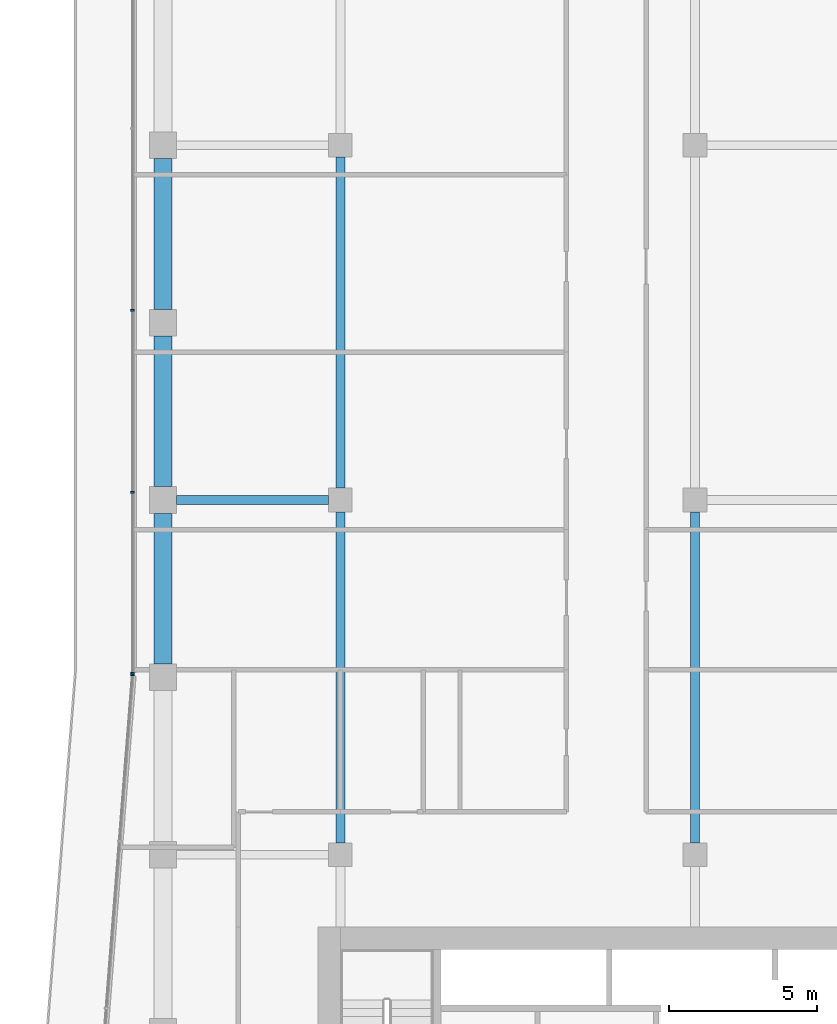
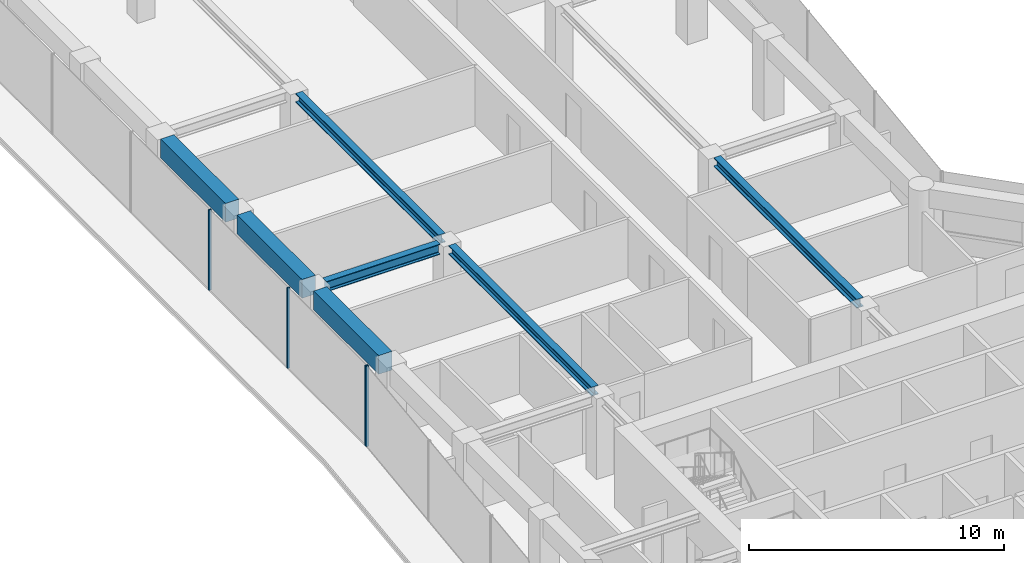
# One storey, part 10 of 24: 7 beams, 4 members, 2 elements without a shape of their own.
"""IFC4 building model written with IfcOpenShell, lengths in metres."""

from ifc_helpers import new_model, si_unit, direction, frame, origin, origin_2d, place, context, subcontext, project, spatial, rectangle, i_section, extrude, material, layer, layer_set, material_profile, profile_set, type_object, element, aggregate, save


model = new_model("IFC4")

# Units and contexts
model_context = context("Model", 3, precision=1e-05, world=origin(), true_north=direction((0.0, 1.0)))
body_context = subcontext(model_context, "Body", "Model", "MODEL_VIEW")
ifc_project = project(units=[si_unit("LENGTHUNIT", "METRE"), si_unit("AREAUNIT", "SQUARE_METRE"), si_unit("VOLUMEUNIT", "CUBIC_METRE"), si_unit("PLANEANGLEUNIT", "RADIAN"), si_unit("MASSUNIT", "GRAM", prefix="KILO")], contexts=[model_context])

# Site, building, storey
site_placement = place(None, origin())
site = spatial("IfcSite", under=ifc_project, at=site_placement, CompositionType="ELEMENT")
building_placement = place(site_placement, origin())
building = spatial("IfcBuilding", under=site, at=building_placement, Name="Welwitschia Terrace Campus", CompositionType="ELEMENT")
storey_placement = place(building_placement, frame((0.0, 0.0, 129.800048828125)))
storey = spatial("IfcBuildingStorey", under=building, at=storey_placement, Name="L29", CompositionType="ELEMENT", Elevation=129.800048828125)

# Beams
ifc_material_1 = material(Name="Steel S355", Category="steel")
ifc_material_profile_1 = material_profile(ifc_material_1, i_section(OverallWidth=0.306884765625, OverallDepth=0.431884765625, WebThickness=0.02099609375, FlangeThickness=0.0400390625, FilletRadius=0.027099609375, at=origin_2d()))
ifc_profile_set_1 = profile_set([ifc_material_profile_1], Name="Steel S355")
beam_type_1 = type_object("IfcBeamType", Name="Interior girder HE 400 M", PredefinedType="BEAM", material=ifc_profile_set_1)
for number, where, z_axis, x_axis, name in (
    (1, (6.0, 28.400390625, 3.634033203125), (0.0, 1.0, 0.0), (-1.0, 0.0, 0.0), "Girder GB3"),
    (2, (6.0, 40.400390625, 3.634033203125), (0.0, 1.0, 0.0), (-1.0, 0.0, 0.0), "Girder GB3"),
    (3, (18.0, 28.400390625, 3.634033203125), (0.0, 1.0, 0.0), (-1.0, 0.0, 0.0), "Girder GB3"),
):
    element("IfcBeam", number, at=place(storey_placement, frame(where, z_axis=z_axis, x_axis=x_axis)), inside=storey, type_object=beam_type_1, Name=name, PredefinedType="BEAM", context=body_context, shape_type="SweptSolid", body=[
        extrude(i_section(OverallWidth=0.306884765625, OverallDepth=0.431884765625, WebThickness=0.02099609375, FlangeThickness=0.0400390625, FilletRadius=0.027099609375, at=origin_2d()), origin(), (0.0, 0.0, 1.0), 11.19921875),
    ])

# Curtain wall, member
ifc_material_2 = material(Name="Bronze anodised aluminium", Category="aluminium")
ifc_layer = layer(ifc_material_2, 0.1201171875)
ifc_layer_set = layer_set([ifc_layer], Name="Bronze anodised aluminium")
curtain_wall_type = type_object("IfcCurtainWallType", Name="Curtain wall CW2 tower 6000", PredefinedType="NOTDEFINED", material=ifc_layer_set)
curtain_wall_1_placement = place(storey_placement, origin())
curtain_wall_1 = element("IfcCurtainWall", 4, at=curtain_wall_1_placement, inside=storey, type_object=curtain_wall_type, Name="CW L29.0.0", PredefinedType="NOTDEFINED")
ifc_material_3 = material(Name="Bronze anodised aluminium", Category="aluminium")
ifc_material_profile_2 = material_profile(ifc_material_3, rectangle(XDim=0.1201171875, YDim=0.06005859375, at=origin_2d()))
ifc_profile_set_2 = profile_set([ifc_material_profile_2], Name="Bronze anodised aluminium")
member_type = type_object("IfcMemberType", Name="Mullion 60x120", PredefinedType="MULLION", material=ifc_profile_set_2)
member_1_placement = place(storey_placement, frame((-1.032470703125, 34.081787109375, 0.0), z_axis=(0.0, 0.0, 1.0), x_axis=(0.996917333733, -0.078459095728, 0.0)))
member_1 = element("IfcMember", 5, at=member_1_placement, type_object=member_type, Name="Mullion L29.0.0.0", PredefinedType="MULLION", context=body_context, shape_type="SweptSolid", body=[
    extrude(rectangle(XDim=0.1201171875, YDim=0.06005859375, at=origin_2d()), origin(), (0.0, 0.0, 1.0), 3.849853515625),
])
aggregate(curtain_wall_1, [member_1])

# Curtain wall, members
curtain_wall_2_placement = place(storey_placement, origin())
curtain_wall_2 = element("IfcCurtainWall", 6, at=curtain_wall_2_placement, inside=storey, type_object=curtain_wall_type, Name="CW L29.13.0", PredefinedType="NOTDEFINED")
member_2_placement = place(storey_placement, frame((-1.030029296875, 46.417724609375, 0.0), z_axis=(0.0, 0.0, 1.0), x_axis=(1.0, 0.0, 0.0)))
member_2 = element("IfcMember", 7, at=member_2_placement, type_object=member_type, Name="Mullion L29.13.0.4", PredefinedType="MULLION", context=body_context, shape_type="SweptSolid", body=[
    extrude(rectangle(XDim=0.1201171875, YDim=0.06005859375, at=origin_2d()), origin(), (0.0, 0.0, 1.0), 3.849853515625),
])
member_3_placement = place(storey_placement, frame((-1.030029296875, 40.264892578125, 0.0), z_axis=(0.0, 0.0, 1.0), x_axis=(1.0, 0.0, 0.0)))
member_3 = element("IfcMember", 8, at=member_3_placement, type_object=member_type, Name="Mullion L29.13.0.5", PredefinedType="MULLION", context=body_context, shape_type="SweptSolid", body=[
    extrude(rectangle(XDim=0.1201171875, YDim=0.06005859375, at=origin_2d()), origin(), (0.0, 0.0, 1.0), 3.849853515625),
])
member_4_placement = place(storey_placement, frame((-1.030029296875, 34.141845703125, 0.0), z_axis=(0.0, 0.0, 1.0), x_axis=(1.0, 0.0, 0.0)))
member_4 = element("IfcMember", 9, at=member_4_placement, type_object=member_type, Name="Mullion L29.13.0.6", PredefinedType="MULLION", context=body_context, shape_type="SweptSolid", body=[
    extrude(rectangle(XDim=0.1201171875, YDim=0.06005859375, at=origin_2d()), origin(), (0.0, 0.0, 1.0), 3.849853515625),
])
aggregate(curtain_wall_2, [member_2, member_3, member_4])

# Beams
ifc_material_4 = material(Name="Steel S355", Category="steel")
ifc_material_profile_3 = material_profile(ifc_material_4, i_section(OverallWidth=0.300048828125, OverallDepth=0.5, WebThickness=0.014404296875, FlangeThickness=0.028076171875, FilletRadius=0.027099609375, at=origin_2d()))
ifc_profile_set_3 = profile_set([ifc_material_profile_3], Name="Steel S355")
beam_type_2 = type_object("IfcBeamType", Name="Primary beam HE 500 B", PredefinedType="BEAM", material=ifc_profile_set_3)
beam_placement = place(storey_placement, frame((0.450439453125, 40.0, 3.599853515625), z_axis=(1.0, 0.0, 0.0), x_axis=(0.0, 1.0, 0.0)))
element("IfcBeam", 10, at=beam_placement, inside=storey, type_object=beam_type_2, Name="Primary beam PB3", PredefinedType="BEAM", context=body_context, shape_type="SweptSolid", body=[
    extrude(i_section(OverallWidth=0.300048828125, OverallDepth=0.5, WebThickness=0.014404296875, FlangeThickness=0.028076171875, FilletRadius=0.027099609375, at=origin_2d()), origin(), (0.0, 0.0, 1.0), 5.149169921875),
])
ifc_material_5 = material(Name="Concrete C60/75", Category="concrete")
ifc_material_profile_4 = material_profile(ifc_material_5, rectangle(XDim=0.60009765625, YDim=0.89990234375, at=origin_2d()))
ifc_profile_set_4 = profile_set([ifc_material_profile_4], Name="Concrete C60/75")
beam_type_3 = type_object("IfcBeamType", Name="Ring spandrel 600x900", PredefinedType="SPANDREL", material=ifc_profile_set_4)
for number, where, z_axis, x_axis, name in (
    (11, (0.0, 51.549560546875, 3.39990234375), (0.0, -1.0, 0.0), (1.0, 0.0, 0.0), "Spandrel SP2"),
    (12, (0.0, 45.549560546875, 3.39990234375), (0.0, -1.0, 0.0), (1.0, 0.0, 0.0), "Spandrel SP2"),
    (13, (0.0, 39.549560546875, 3.39990234375), (0.0, -1.0, 0.0), (1.0, 0.0, 0.0), "Spandrel SP2"),
):
    element("IfcBeam", number, at=place(storey_placement, frame(where, z_axis=z_axis, x_axis=x_axis)), inside=storey, type_object=beam_type_3, Name=name, PredefinedType="SPANDREL", context=body_context, shape_type="SweptSolid", body=[
        extrude(rectangle(XDim=0.60009765625, YDim=0.89990234375, at=origin_2d()), origin(), (0.0, 0.0, 1.0), 5.09912109375),
    ])

save(model, "model.ifc")
